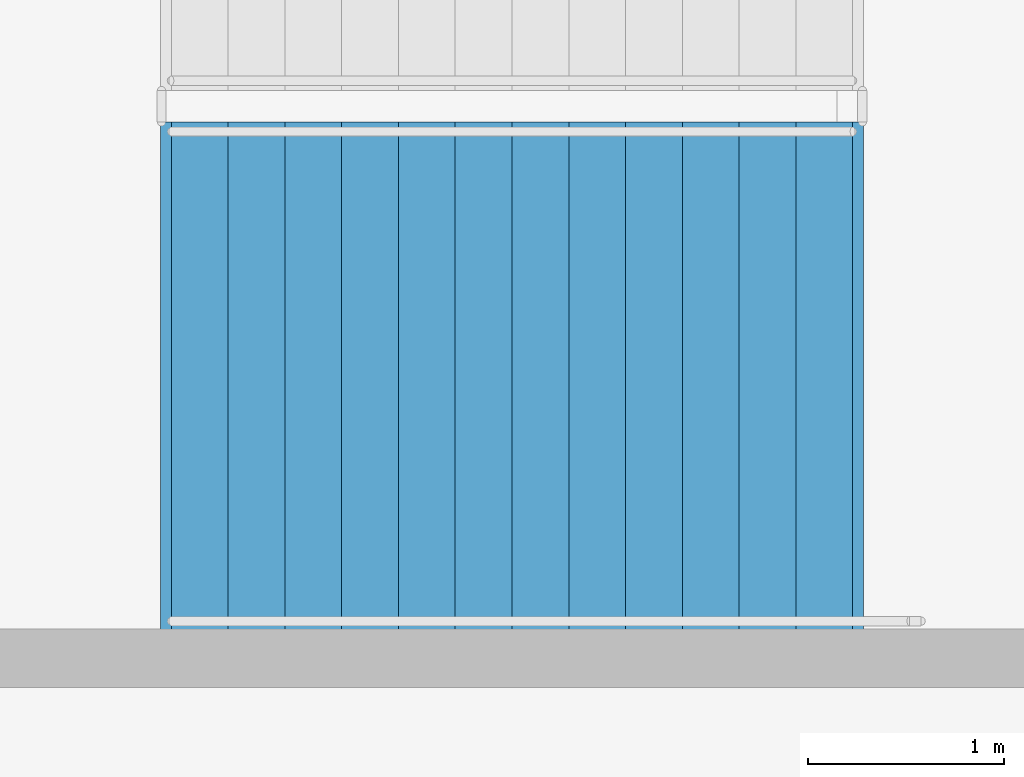
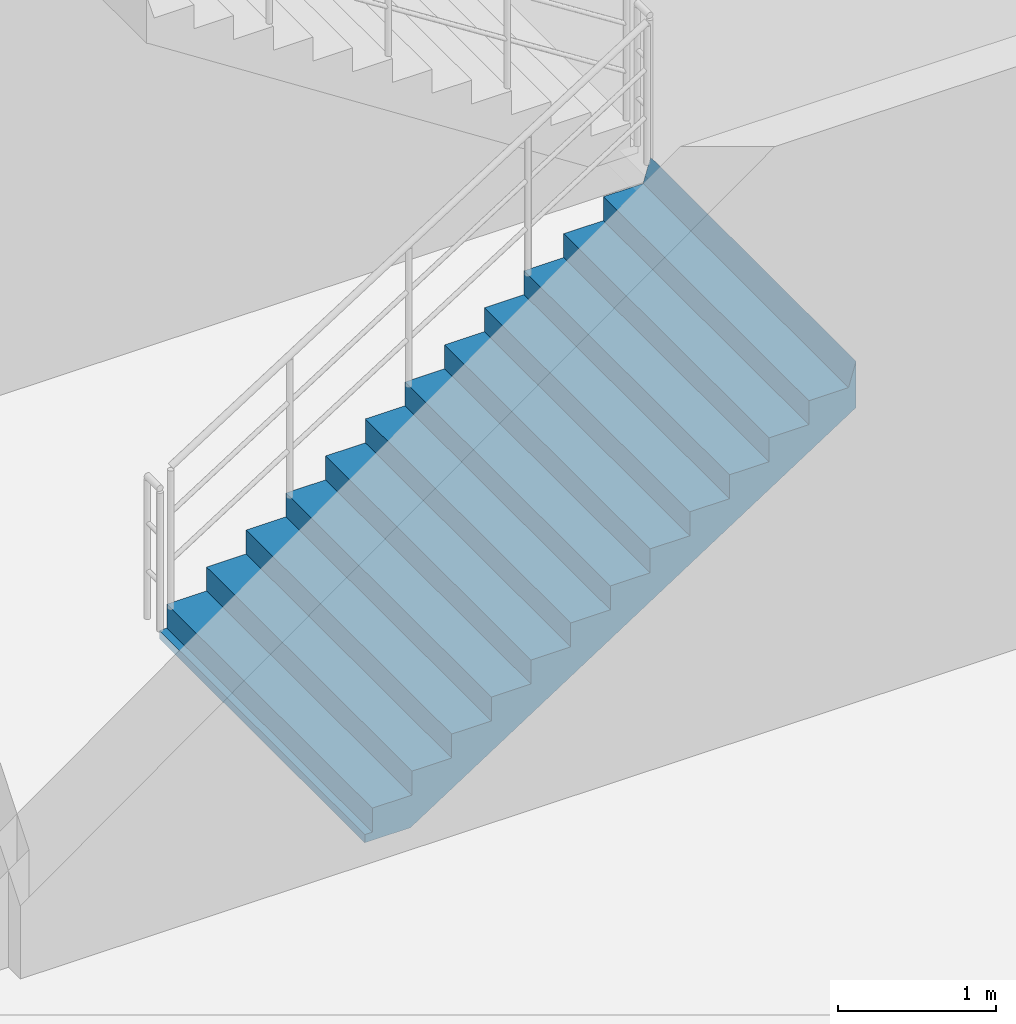
# One storey, part 52 of 68: 1 stair flight, 1 element without a shape of its own.
"""IFC4 building model written with IfcOpenShell, lengths in metres."""

from ifc_helpers import new_model, si_unit, direction, frame, origin, place, context, subcontext, project, spatial, polyline, outline, extrude, material, type_object, element, aggregate, save


model = new_model("IFC4")

# Units and contexts
model_context = context("Model", 3, precision=1e-05, world=origin(), true_north=direction((0.0, 1.0)))
body_context = subcontext(model_context, "Body", "Model", "MODEL_VIEW")
ifc_project = project(units=[si_unit("LENGTHUNIT", "METRE"), si_unit("AREAUNIT", "SQUARE_METRE"), si_unit("VOLUMEUNIT", "CUBIC_METRE"), si_unit("PLANEANGLEUNIT", "RADIAN"), si_unit("MASSUNIT", "GRAM", prefix="KILO")], contexts=[model_context])

# Site, building, storey
site_placement = place(None, origin())
site = spatial("IfcSite", under=ifc_project, at=site_placement, CompositionType="ELEMENT")
building_placement = place(site_placement, origin())
building = spatial("IfcBuilding", under=site, at=building_placement, Name="Cinderbank Siding Concert Hall", CompositionType="ELEMENT")
storey_placement = place(building_placement, frame((0.0, 0.0, -4.800048828125)))
storey = spatial("IfcBuildingStorey", under=building, at=storey_placement, Name="B1", CompositionType="ELEMENT", Elevation=-4.800048828125)

# Stair, stair flight
ifc_material = material(Name="Reinforced concrete AS 3600 N50 (50 MPa)", Category="concrete")
stair_type = type_object("IfcStairType", Name="STR-B Dogleg Exit Stair 2600mm", PredefinedType="HALF_TURN_STAIR", material=ifc_material)
stair_placement = place(storey_placement, origin())
stair = element("IfcStair", 1, at=stair_placement, inside=storey, type_object=stair_type, Name="B1 Southeast Concourse Exit Stair ST-10", PredefinedType="HALF_TURN_STAIR")
stair_flight_type = type_object("IfcStairFlightType", Name="SFL-B Concrete Stair Flight 2600mm", PredefinedType="STRAIGHT", material=ifc_material)
stair_flight_placement = place(storey_placement, frame((155.10009765625, 19.10009765625, 0.0), z_axis=(0.0, 0.0, 1.0), x_axis=(1.0, 0.0, 0.0)))
stair_flight = element("IfcStairFlight", 2, at=stair_flight_placement, type_object=stair_flight_type, Name="ST-10 flight 1", NumberOfRisers=13, NumberOfTreads=12, PredefinedType="STRAIGHT", RiserHeight=0.184615385, TreadLength=0.29, context=body_context, shape_type="SweptSolid", body=[
    extrude(outline(polyline([(0.0, 0.0), (0.0, 0.1845703125), (0.2900390625, 0.1845703125), (0.2900390625, 0.369140625), (0.580078125, 0.369140625), (0.580078125, 0.553955078125), (0.8701171875, 0.553955078125), (0.8701171875, 0.738525390625), (1.159912109375, 0.738525390625), (1.159912109375, 0.923095703125), (1.449951171875, 0.923095703125), (1.449951171875, 1.107666015625), (1.739990234375, 1.107666015625), (1.739990234375, 1.292236328125), (2.030029296875, 1.292236328125), (2.030029296875, 1.476806640625), (2.320068359375, 1.476806640625), (2.320068359375, 1.66162109375), (2.610107421875, 1.66162109375), (2.610107421875, 1.84619140625), (2.89990234375, 1.84619140625), (2.89990234375, 2.03076171875), (3.18994140625, 2.03076171875), (3.18994140625, 2.21533203125), (3.47998046875, 2.21533203125), (3.534912109375, 2.39990234375), (3.534912109375, 2.03759765625), (3.53466796875, 2.037841796875), (3.53466796875, 2.0380859375), (3.53466796875, 2.038330078125), (3.53466796875, 2.03857421875), (3.53466796875, 2.038818359375), (3.53466796875, 2.0390625), (3.53466796875, 2.039306640625), (3.53466796875, 2.03955078125), (3.53466796875, 2.039794921875), (3.53466796875, 2.0400390625), (3.53466796875, 2.040283203125), (3.53466796875, 2.04052734375), (3.534423828125, 2.04052734375), (3.534423828125, 2.040283203125), (3.534423828125, 2.0400390625), (3.534423828125, 2.039794921875), (3.534423828125, 2.03955078125), (3.534423828125, 2.039306640625), (3.534423828125, 2.0390625), (3.534423828125, 2.038818359375), (3.534423828125, 2.03857421875), (3.534423828125, 2.038330078125), (3.534423828125, 2.0380859375), (3.534423828125, 2.037841796875), (3.534423828125, 2.03759765625), (3.5341796875, 2.037841796875), (3.5341796875, 2.0380859375), (3.5341796875, 2.038330078125), (3.5341796875, 2.03857421875), (3.5341796875, 2.038818359375), (3.5341796875, 2.0390625), (3.5341796875, 2.039306640625), (3.5341796875, 2.03955078125), (3.5341796875, 2.039794921875), (3.5341796875, 2.0400390625), (3.5341796875, 2.040283203125), (3.5341796875, 2.04052734375), (3.533935546875, 2.04052734375), (3.533935546875, 2.040283203125), (3.533935546875, 2.0400390625), (3.533935546875, 2.039794921875), (3.533935546875, 2.03955078125), (3.533935546875, 2.039306640625), (3.533935546875, 2.0390625), (3.533935546875, 2.038818359375), (3.533935546875, 2.03857421875), (3.533935546875, 2.038330078125), (3.533935546875, 2.0380859375), (3.533935546875, 2.037841796875), (3.533935546875, 2.03759765625), (3.53369140625, 2.037841796875), (3.53369140625, 2.0380859375), (3.53369140625, 2.038330078125), (3.53369140625, 2.03857421875), (3.53369140625, 2.038818359375), (3.53369140625, 2.0390625), (3.53369140625, 2.039306640625), (3.53369140625, 2.03955078125), (3.53369140625, 2.039794921875), (3.53369140625, 2.0400390625), (3.53369140625, 2.040283203125), (3.53369140625, 2.04052734375), (3.533447265625, 2.04052734375), (3.533447265625, 2.040283203125), (3.533447265625, 2.0400390625), (3.533447265625, 2.039794921875), (3.533447265625, 2.03955078125), (3.533447265625, 2.039306640625), (3.533447265625, 2.0390625), (3.533447265625, 2.038818359375), (3.533447265625, 2.03857421875), (3.533447265625, 2.038330078125), (3.533447265625, 2.0380859375), (3.533447265625, 2.037841796875), (3.533447265625, 2.03759765625), (3.533203125, 2.037841796875), (3.533203125, 2.0380859375), (3.533203125, 2.038330078125), (3.533203125, 2.03857421875), (3.533203125, 2.038818359375), (3.533203125, 2.0390625), (3.533203125, 2.039306640625), (3.533203125, 2.03955078125), (3.533203125, 2.039794921875), (3.533203125, 2.0400390625), (3.533203125, 2.040283203125), (3.533203125, 2.04052734375), (3.532958984375, 2.04052734375), (3.532958984375, 2.040283203125), (3.532958984375, 2.0400390625), (3.532958984375, 2.039794921875), (3.532958984375, 2.03955078125), (3.532958984375, 2.039306640625), (3.532958984375, 2.0390625), (3.532958984375, 2.038818359375), (3.532958984375, 2.03857421875), (3.532958984375, 2.038330078125), (3.532958984375, 2.0380859375), (3.532958984375, 2.037841796875), (3.532958984375, 2.03759765625), (3.53271484375, 2.037841796875), (3.53271484375, 2.0380859375), (3.53271484375, 2.038330078125), (3.53271484375, 2.03857421875), (3.53271484375, 2.038818359375), (3.53271484375, 2.0390625), (3.53271484375, 2.039306640625), (3.53271484375, 2.03955078125), (3.53271484375, 2.039794921875), (3.53271484375, 2.0400390625), (3.53271484375, 2.040283203125), (3.53271484375, 2.04052734375), (3.532470703125, 2.04052734375), (3.532470703125, 2.040283203125), (3.532470703125, 2.0400390625), (3.532470703125, 2.039794921875), (3.532470703125, 2.03955078125), (3.532470703125, 2.039306640625), (3.532470703125, 2.0390625), (3.532470703125, 2.038818359375), (3.532470703125, 2.03857421875), (3.532470703125, 2.038330078125), (3.532470703125, 2.0380859375), (3.532470703125, 2.037841796875), (3.532470703125, 2.03759765625), (3.5322265625, 2.037841796875), (3.5322265625, 2.0380859375), (3.5322265625, 2.038330078125), (3.5322265625, 2.03857421875), (3.5322265625, 2.038818359375), (3.5322265625, 2.0390625), (3.5322265625, 2.039306640625), (3.5322265625, 2.03955078125), (3.5322265625, 2.039794921875), (3.5322265625, 2.0400390625), (3.5322265625, 2.040283203125), (3.5322265625, 2.04052734375), (3.531982421875, 2.04052734375), (3.531982421875, 2.040283203125), (3.531982421875, 2.0400390625), (3.531982421875, 2.039794921875), (3.531982421875, 2.03955078125), (3.531982421875, 2.039306640625), (3.531982421875, 2.0390625), (3.531982421875, 2.038818359375), (3.531982421875, 2.03857421875), (3.531982421875, 2.038330078125), (3.531982421875, 2.0380859375), (3.531982421875, 2.037841796875), (3.531982421875, 2.03759765625), (3.53173828125, 2.037841796875), (3.53173828125, 2.0380859375), (3.53173828125, 2.038330078125), (3.53173828125, 2.03857421875), (3.53173828125, 2.038818359375), (3.53173828125, 2.0390625), (3.53173828125, 2.039306640625), (3.53173828125, 2.03955078125), (3.53173828125, 2.039794921875), (3.53173828125, 2.0400390625), (3.53173828125, 2.040283203125), (3.53173828125, 2.04052734375), (3.531494140625, 2.04052734375), (3.531494140625, 2.040283203125), (3.531494140625, 2.0400390625), (3.531494140625, 2.039794921875), (3.531494140625, 2.03955078125), (3.531494140625, 2.039306640625), (3.531494140625, 2.0390625), (3.531494140625, 2.038818359375), (3.531494140625, 2.03857421875), (3.531494140625, 2.038330078125), (3.531494140625, 2.0380859375), (3.531494140625, 2.037841796875), (3.531494140625, 2.03759765625), (3.53125, 2.037841796875), (3.53125, 2.0380859375), (3.53125, 2.038330078125), (3.53125, 2.03857421875), (3.53125, 2.038818359375), (3.53125, 2.0390625), (3.53125, 2.039306640625), (3.53125, 2.03955078125), (3.53125, 2.039794921875), (3.53125, 2.0400390625), (3.53125, 2.040283203125), (3.53125, 2.04052734375), (3.531005859375, 2.04052734375), (3.531005859375, 2.040283203125), (3.531005859375, 2.0400390625), (3.531005859375, 2.039794921875), (3.531005859375, 2.03955078125), (3.531005859375, 2.039306640625), (3.531005859375, 2.0390625), (3.531005859375, 2.038818359375), (3.531005859375, 2.03857421875), (3.531005859375, 2.038330078125), (3.531005859375, 2.0380859375), (3.531005859375, 2.037841796875), (3.531005859375, 2.03759765625), (3.53076171875, 2.037841796875), (3.53076171875, 2.0380859375), (3.53076171875, 2.038330078125), (3.53076171875, 2.03857421875), (3.53076171875, 2.038818359375), (3.53076171875, 2.0390625), (3.53076171875, 2.039306640625), (3.53076171875, 2.03955078125), (3.53076171875, 2.039794921875), (3.53076171875, 2.0400390625), (3.53076171875, 2.040283203125), (3.53076171875, 2.04052734375), (3.530517578125, 2.04052734375), (3.530517578125, 2.040283203125), (3.530517578125, 2.0400390625), (3.530517578125, 2.039794921875), (3.530517578125, 2.03955078125), (3.530517578125, 2.039306640625), (3.530517578125, 2.0390625), (3.530517578125, 2.038818359375), (3.530517578125, 2.03857421875), (3.530517578125, 2.038330078125), (3.530517578125, 2.0380859375), (3.530517578125, 2.037841796875), (3.530517578125, 2.03759765625), (3.5302734375, 2.037841796875), (3.5302734375, 2.0380859375), (3.5302734375, 2.038330078125), (3.5302734375, 2.03857421875), (3.5302734375, 2.038818359375), (3.5302734375, 2.0390625), (3.5302734375, 2.039306640625), (3.5302734375, 2.03955078125), (3.5302734375, 2.039794921875), (3.5302734375, 2.0400390625), (3.5302734375, 2.040283203125), (3.5302734375, 2.04052734375), (3.530029296875, 2.04052734375), (3.530029296875, 2.040283203125), (3.530029296875, 2.0400390625), (3.530029296875, 2.039794921875), (3.530029296875, 2.03955078125), (3.530029296875, 2.039306640625), (3.530029296875, 2.0390625), (3.530029296875, 2.038818359375), (3.530029296875, 2.03857421875), (3.530029296875, 2.038330078125), (3.530029296875, 2.0380859375), (3.530029296875, 2.037841796875), (3.530029296875, 2.03759765625), (3.52978515625, 2.037841796875), (3.52978515625, 2.0380859375), (3.52978515625, 2.038330078125), (3.52978515625, 2.03857421875), (3.52978515625, 2.038818359375), (3.52978515625, 2.0390625), (3.52978515625, 2.039306640625), (3.52978515625, 2.03955078125), (3.52978515625, 2.039794921875), (3.52978515625, 2.0400390625), (3.52978515625, 2.040283203125), (3.52978515625, 2.04052734375), (3.529541015625, 2.04052734375), (3.529541015625, 2.040283203125), (3.529541015625, 2.0400390625), (3.529541015625, 2.039794921875), (3.529541015625, 2.03955078125), (3.529541015625, 2.039306640625), (3.529541015625, 2.0390625), (3.529541015625, 2.038818359375), (3.529541015625, 2.03857421875), (3.529541015625, 2.038330078125), (3.529541015625, 2.0380859375), (3.529541015625, 2.037841796875), (3.529541015625, 2.03759765625), (3.529296875, 2.037841796875), (3.529296875, 2.0380859375), (3.529296875, 2.038330078125), (3.529296875, 2.03857421875), (3.529296875, 2.038818359375), (3.529296875, 2.0390625), (3.529296875, 2.039306640625), (3.529296875, 2.03955078125), (3.529296875, 2.039794921875), (3.529296875, 2.0400390625), (3.529296875, 2.040283203125), (3.529296875, 2.04052734375), (3.529052734375, 2.04052734375), (3.529052734375, 2.040283203125), (3.529052734375, 2.0400390625), (3.529052734375, 2.039794921875), (3.529052734375, 2.03955078125), (3.529052734375, 2.039306640625), (3.529052734375, 2.0390625), (3.529052734375, 2.038818359375), (3.529052734375, 2.03857421875), (3.529052734375, 2.038330078125), (3.529052734375, 2.0380859375), (3.529052734375, 2.037841796875), (3.529052734375, 2.03759765625), (3.52880859375, 2.037841796875), (3.52880859375, 2.0380859375), (3.52880859375, 2.038330078125), (3.52880859375, 2.03857421875), (3.52880859375, 2.038818359375), (3.52880859375, 2.0390625), (3.52880859375, 2.039306640625), (3.52880859375, 2.03955078125), (3.52880859375, 2.039794921875), (3.52880859375, 2.0400390625), (3.52880859375, 2.040283203125), (3.52880859375, 2.04052734375), (3.528564453125, 2.04052734375), (3.528564453125, 2.040283203125), (3.528564453125, 2.0400390625), (3.528564453125, 2.039794921875), (3.528564453125, 2.03955078125), (3.528564453125, 2.039306640625), (3.528564453125, 2.0390625), (3.528564453125, 2.038818359375), (3.528564453125, 2.03857421875), (3.528564453125, 2.038330078125), (3.528564453125, 2.0380859375), (3.528564453125, 2.037841796875), (3.528564453125, 2.03759765625), (0.279052734375, -0.06396484375), (-0.048583984375, -0.063720703125), (-0.048583984375, -0.0634765625), (-0.048583984375, -0.063232421875), (-0.048583984375, -0.06298828125), (-0.048583984375, -0.062744140625), (-0.048583984375, -0.0625), (-0.048583984375, -0.062255859375), (-0.048583984375, -0.06201171875), (-0.048583984375, -0.061767578125), (-0.048583984375, -0.0615234375), (-0.048583984375, -0.061279296875), (-0.048583984375, -0.06103515625), (-0.048828125, -0.06103515625), (-0.048828125, -0.061279296875), (-0.048828125, -0.0615234375), (-0.048828125, -0.061767578125), (-0.048828125, -0.06201171875), (-0.048828125, -0.062255859375), (-0.048828125, -0.0625), (-0.048828125, -0.062744140625), (-0.048828125, -0.06298828125), (-0.048828125, -0.063232421875), (-0.048828125, -0.0634765625), (-0.048828125, -0.063720703125), (-0.048828125, -0.06396484375), (-0.049072265625, -0.063720703125), (-0.049072265625, -0.0634765625), (-0.049072265625, -0.063232421875), (-0.049072265625, -0.06298828125), (-0.049072265625, -0.062744140625), (-0.049072265625, -0.0625), (-0.049072265625, -0.062255859375), (-0.049072265625, -0.06201171875), (-0.049072265625, -0.061767578125), (-0.049072265625, -0.0615234375), (-0.049072265625, -0.061279296875), (-0.049072265625, -0.06103515625), (-0.04931640625, -0.06103515625), (-0.04931640625, -0.061279296875), (-0.04931640625, -0.0615234375), (-0.04931640625, -0.061767578125), (-0.04931640625, -0.06201171875), (-0.04931640625, -0.062255859375), (-0.04931640625, -0.0625), (-0.04931640625, -0.062744140625), (-0.04931640625, -0.06298828125), (-0.04931640625, -0.063232421875), (-0.04931640625, -0.0634765625), (-0.04931640625, -0.063720703125), (-0.04931640625, -0.06396484375), (-0.049560546875, -0.063720703125), (-0.049560546875, -0.0634765625), (-0.049560546875, -0.063232421875), (-0.049560546875, -0.06298828125), (-0.049560546875, -0.062744140625), (-0.049560546875, -0.0625), (-0.049560546875, -0.062255859375), (-0.049560546875, -0.06201171875), (-0.049560546875, -0.061767578125), (-0.049560546875, -0.0615234375), (-0.049560546875, -0.061279296875), (-0.049560546875, -0.06103515625), (-0.0498046875, -0.06103515625), (-0.0498046875, -0.061279296875), (-0.0498046875, -0.0615234375), (-0.0498046875, -0.061767578125), (-0.0498046875, -0.06201171875), (-0.0498046875, -0.062255859375), (-0.0498046875, -0.0625), (-0.0498046875, -0.062744140625), (-0.0498046875, -0.06298828125), (-0.0498046875, -0.063232421875), (-0.0498046875, -0.0634765625), (-0.0498046875, -0.063720703125), (-0.0498046875, -0.06396484375), (-0.050048828125, -0.063720703125), (-0.050048828125, -0.0634765625), (-0.050048828125, -0.063232421875), (-0.050048828125, -0.06298828125), (-0.050048828125, -0.062744140625), (-0.050048828125, -0.0625), (-0.050048828125, -0.062255859375), (-0.050048828125, -0.06201171875), (-0.050048828125, -0.061767578125), (-0.050048828125, -0.0615234375), (-0.050048828125, -0.061279296875), (-0.050048828125, -0.06103515625), (-0.05029296875, -0.06103515625), (-0.05029296875, -0.061279296875), (-0.05029296875, -0.0615234375), (-0.05029296875, -0.061767578125), (-0.05029296875, -0.06201171875), (-0.05029296875, -0.062255859375), (-0.05029296875, -0.0625), (-0.05029296875, -0.062744140625), (-0.05029296875, -0.06298828125), (-0.05029296875, -0.063232421875), (-0.05029296875, -0.0634765625), (-0.05029296875, -0.063720703125), (-0.05029296875, -0.06396484375), (-0.050537109375, -0.063720703125), (-0.050537109375, -0.0634765625), (-0.050537109375, -0.063232421875), (-0.050537109375, -0.06298828125), (-0.050537109375, -0.062744140625), (-0.050537109375, -0.0625), (-0.050537109375, -0.062255859375), (-0.050537109375, -0.06201171875), (-0.050537109375, -0.061767578125), (-0.050537109375, -0.0615234375), (-0.050537109375, -0.061279296875), (-0.050537109375, -0.06103515625), (-0.05078125, -0.06103515625), (-0.05078125, -0.061279296875), (-0.05078125, -0.0615234375), (-0.05078125, -0.061767578125), (-0.05078125, -0.06201171875), (-0.05078125, -0.062255859375), (-0.05078125, -0.0625), (-0.05078125, -0.062744140625), (-0.05078125, -0.06298828125), (-0.05078125, -0.063232421875), (-0.05078125, -0.0634765625), (-0.05078125, -0.063720703125), (-0.05078125, -0.06396484375), (-0.051025390625, -0.063720703125), (-0.051025390625, -0.0634765625), (-0.051025390625, -0.063232421875), (-0.051025390625, -0.06298828125), (-0.051025390625, -0.062744140625), (-0.051025390625, -0.0625), (-0.051025390625, -0.062255859375), (-0.051025390625, -0.06201171875), (-0.051025390625, -0.061767578125), (-0.051025390625, -0.0615234375), (-0.051025390625, -0.061279296875), (-0.051025390625, -0.06103515625), (-0.05126953125, -0.06103515625), (-0.05126953125, -0.061279296875), (-0.05126953125, -0.0615234375), (-0.05126953125, -0.061767578125), (-0.05126953125, -0.06201171875), (-0.05126953125, -0.062255859375), (-0.05126953125, -0.0625), (-0.05126953125, -0.062744140625), (-0.05126953125, -0.06298828125), (-0.05126953125, -0.063232421875), (-0.05126953125, -0.0634765625), (-0.05126953125, -0.063720703125), (-0.05126953125, -0.06396484375), (-0.051513671875, -0.063720703125), (-0.051513671875, -0.0634765625), (-0.051513671875, -0.063232421875), (-0.051513671875, -0.06298828125), (-0.051513671875, -0.062744140625), (-0.051513671875, -0.0625), (-0.051513671875, -0.062255859375), (-0.051513671875, -0.06201171875), (-0.051513671875, -0.061767578125), (-0.051513671875, -0.0615234375), (-0.051513671875, -0.061279296875), (-0.051513671875, -0.06103515625), (-0.0517578125, -0.06103515625), (-0.0517578125, -0.061279296875), (-0.0517578125, -0.0615234375), (-0.0517578125, -0.061767578125), (-0.0517578125, -0.06201171875), (-0.0517578125, -0.062255859375), (-0.0517578125, -0.0625), (-0.0517578125, -0.062744140625), (-0.0517578125, -0.06298828125), (-0.0517578125, -0.063232421875), (-0.0517578125, -0.0634765625), (-0.0517578125, -0.063720703125), (-0.0517578125, -0.06396484375), (-0.052001953125, -0.063720703125), (-0.052001953125, -0.0634765625), (-0.052001953125, -0.063232421875), (-0.052001953125, -0.06298828125), (-0.052001953125, -0.062744140625), (-0.052001953125, -0.0625), (-0.052001953125, -0.062255859375), (-0.052001953125, -0.06201171875), (-0.052001953125, -0.061767578125), (-0.052001953125, -0.0615234375), (-0.052001953125, -0.061279296875), (-0.052001953125, -0.06103515625), (-0.05224609375, -0.06103515625), (-0.05224609375, -0.061279296875), (-0.05224609375, -0.0615234375), (-0.05224609375, -0.061767578125), (-0.05224609375, -0.06201171875), (-0.05224609375, -0.062255859375), (-0.05224609375, -0.0625), (-0.05224609375, -0.062744140625), (-0.05224609375, -0.06298828125), (-0.05224609375, -0.063232421875), (-0.05224609375, -0.0634765625), (-0.05224609375, -0.063720703125), (-0.05224609375, -0.06396484375), (-0.052490234375, -0.063720703125), (-0.052490234375, -0.0634765625), (-0.052490234375, -0.063232421875), (-0.052490234375, -0.06298828125), (-0.052490234375, -0.062744140625), (-0.052490234375, -0.0625), (-0.052490234375, -0.062255859375), (-0.052490234375, -0.06201171875), (-0.052490234375, -0.061767578125), (-0.052490234375, -0.0615234375), (-0.052490234375, -0.061279296875), (-0.052490234375, -0.06103515625), (-0.052734375, -0.06103515625), (-0.052734375, -0.061279296875), (-0.052734375, -0.0615234375), (-0.052734375, -0.061767578125), (-0.052734375, -0.06201171875), (-0.052734375, -0.062255859375), (-0.052734375, -0.0625), (-0.052734375, -0.062744140625), (-0.052734375, -0.06298828125), (-0.052734375, -0.063232421875), (-0.052734375, -0.0634765625), (-0.052734375, -0.063720703125), (-0.052734375, -0.06396484375), (-0.052978515625, -0.063720703125), (-0.052978515625, -0.0634765625), (-0.052978515625, -0.063232421875), (-0.052978515625, -0.06298828125), (-0.052978515625, -0.062744140625), (-0.052978515625, -0.0625), (-0.052978515625, -0.062255859375), (-0.052978515625, -0.06201171875), (-0.052978515625, -0.061767578125), (-0.052978515625, -0.0615234375), (-0.052978515625, -0.061279296875), (-0.052978515625, -0.06103515625), (-0.05322265625, -0.06103515625), (-0.05322265625, -0.061279296875), (-0.05322265625, -0.0615234375), (-0.05322265625, -0.061767578125), (-0.05322265625, -0.06201171875), (-0.05322265625, -0.062255859375), (-0.05322265625, -0.0625), (-0.05322265625, -0.062744140625), (-0.05322265625, -0.06298828125), (-0.05322265625, -0.063232421875), (-0.05322265625, -0.0634765625), (-0.05322265625, -0.063720703125), (-0.05322265625, -0.06396484375), (-0.053466796875, -0.063720703125), (-0.053466796875, -0.0634765625), (-0.053466796875, -0.063232421875), (-0.053466796875, -0.06298828125), (-0.053466796875, -0.062744140625), (-0.053466796875, -0.0625), (-0.053466796875, -0.062255859375), (-0.053466796875, -0.06201171875), (-0.053466796875, -0.061767578125), (-0.053466796875, -0.0615234375), (-0.053466796875, -0.061279296875), (-0.053466796875, -0.06103515625), (-0.0537109375, -0.06103515625), (-0.0537109375, -0.061279296875), (-0.0537109375, -0.0615234375), (-0.0537109375, -0.061767578125), (-0.0537109375, -0.06201171875), (-0.0537109375, -0.062255859375), (-0.0537109375, -0.0625), (-0.0537109375, -0.062744140625), (-0.0537109375, -0.06298828125), (-0.0537109375, -0.063232421875), (-0.0537109375, -0.0634765625), (-0.0537109375, -0.063720703125), (-0.0537109375, -0.06396484375), (-0.053955078125, -0.063720703125), (-0.053955078125, -0.0634765625), (-0.053955078125, -0.063232421875), (-0.053955078125, -0.06298828125), (-0.053955078125, -0.062744140625), (-0.053955078125, -0.0625), (-0.053955078125, -0.062255859375), (-0.053955078125, -0.06201171875), (-0.053955078125, -0.061767578125), (-0.053955078125, -0.0615234375), (-0.053955078125, -0.061279296875), (-0.053955078125, -0.06103515625), (-0.05419921875, -0.06103515625), (-0.05419921875, -0.061279296875), (-0.05419921875, -0.0615234375), (-0.05419921875, -0.061767578125), (-0.05419921875, -0.06201171875), (-0.05419921875, -0.062255859375), (-0.05419921875, -0.0625), (-0.05419921875, -0.062744140625), (-0.05419921875, -0.06298828125), (-0.05419921875, -0.063232421875), (-0.05419921875, -0.0634765625), (-0.05419921875, -0.063720703125), (-0.05419921875, -0.06396484375), (-0.054443359375, -0.063720703125), (-0.054443359375, -0.0634765625), (-0.054443359375, -0.063232421875), (-0.054443359375, -0.06298828125), (-0.054443359375, -0.062744140625), (-0.054443359375, -0.0625), (-0.054443359375, -0.062255859375), (-0.054443359375, -0.06201171875), (-0.054443359375, -0.061767578125), (-0.054443359375, -0.0615234375), (-0.054443359375, -0.061279296875), (-0.054443359375, -0.06103515625), (-0.0546875, -0.06103515625), (-0.0546875, -0.061279296875), (-0.0546875, -0.0615234375), (-0.0546875, -0.061767578125), (-0.0546875, -0.06201171875), (-0.0546875, -0.062255859375), (-0.0546875, -0.0625), (-0.0546875, -0.062744140625), (-0.0546875, -0.06298828125), (-0.0546875, -0.063232421875), (-0.0546875, -0.0634765625), (-0.0546875, -0.063720703125), (-0.0546875, -0.06396484375), (-0.054931640625, -0.06396484375), (-0.054931640625, 0.0), (0.0, 0.0)])), frame((0.0, 1.300048828125, 0.0), z_axis=(0.0, -1.0, 0.0), x_axis=(1.0, 0.0, 0.0)), (0.0, 0.0, 1.0), 2.60009765625),
])
aggregate(stair, [stair_flight])

save(model, "model.ifc")
